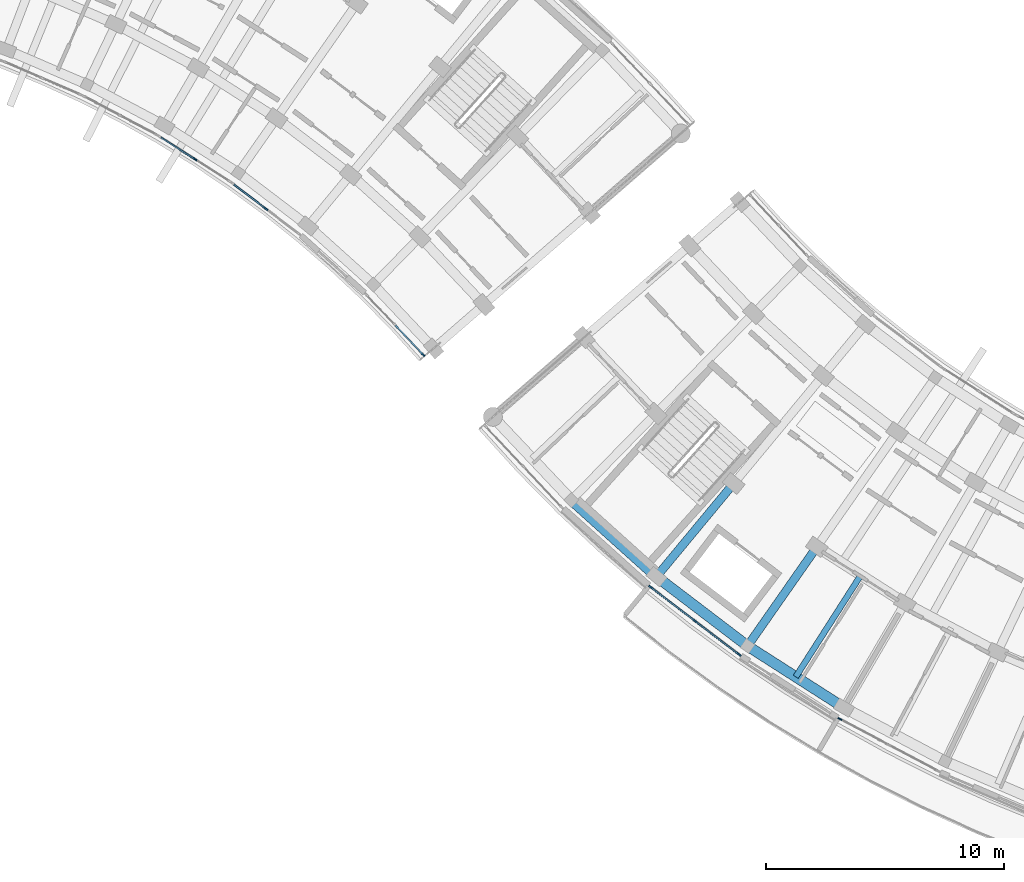
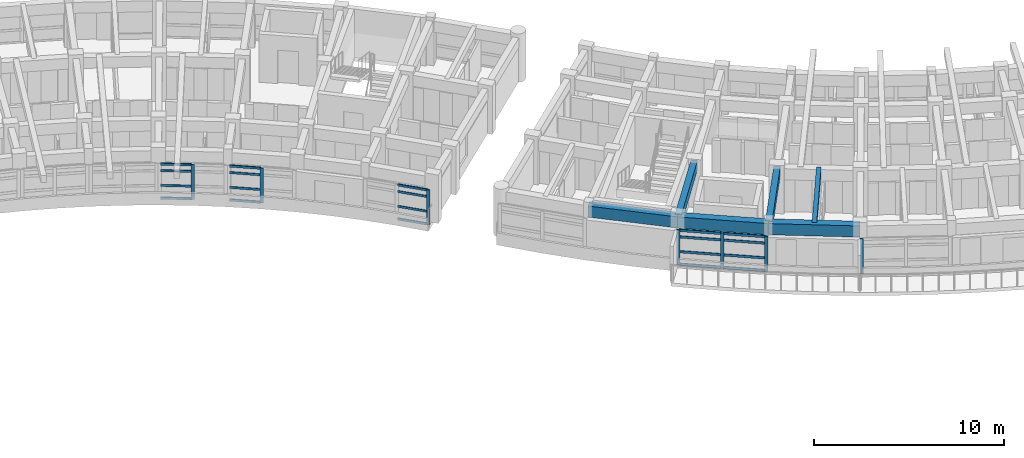
# One storey, part 9 of 55: 27 members, 6 beams, 5 elements without a shape of their own.
"""IFC4 building model written with IfcOpenShell, lengths in metres."""

import ifcopenshell
import ifcopenshell.guid

model = None  # the IFC model being written
_history = None  # IfcOwnerHistory: only IFC2X3 demands one
_inside = {}  # id of a spatial element -> (the spatial element, [elements in it])
_under = {}  # id of a project, library or spatial element -> (it, [spatial elements below it])
_declared = {}  # id of a project -> (the project, [libraries it declares])
_typed = {}  # id of a type object -> (the type object, [elements of that type])
_made_of = {}  # id of a material, layer set ... -> (it, [elements and type objects made of it])


def new_model(schema):
    """Start an empty IFC model of exactly this schema.

    Asked for "IFC4X3", IfcOpenShell would pick the latest addendum, in which some entities
    have other attributes; the version numbers below select the first issue.
    IFC2X3 requires an IfcOwnerHistory on every rooted entity: one is made here for all.
    """
    global model, _history
    if schema == "IFC4X3":
        model = ifcopenshell.file(schema_version=(4, 3, 0, 0))
    else:
        model = ifcopenshell.file(schema=schema)
    _inside.clear()
    _under.clear()
    _declared.clear()
    _typed.clear()
    _made_of.clear()
    _history = None
    if model.schema == "IFC2X3":
        org = make("IfcOrganization", Name="unknown")
        user = make(
            "IfcPersonAndOrganization",
            ThePerson=make("IfcPerson", FamilyName="unknown"),
            TheOrganization=org,
        )
        app = make(
            "IfcApplication",
            ApplicationDeveloper=org,
            Version="unknown",
            ApplicationFullName="unknown",
            ApplicationIdentifier="unknown",
        )
        _history = make(
            "IfcOwnerHistory",
            OwningUser=user,
            OwningApplication=app,
            ChangeAction="ADDED",
            CreationDate=0,
        )
    return model


def make(cls, **values):
    """One entity of the class cls with the attributes given. An attribute that is None is left unset."""
    return model.create_entity(
        cls, **{name: value for name, value in values.items() if value is not None}
    )


def rooted(cls, **values):
    """An entity with a GlobalId (a new one), such as an element, a storey or a relation."""
    return make(cls, GlobalId=ifcopenshell.guid.new(), OwnerHistory=_history, **values)


def si_unit(unit_type, name, prefix=None):
    """IfcSIUnit, for example si_unit("LENGTHUNIT", "METRE", prefix="MILLI")."""
    return make("IfcSIUnit", UnitType=unit_type, Prefix=prefix, Name=name)


def assignment(units):
    """IfcUnitAssignment: the units of a project."""
    return None if units is None else make("IfcUnitAssignment", Units=units)


def point(xyz):
    """IfcCartesianPoint."""
    return None if xyz is None else make("IfcCartesianPoint", Coordinates=xyz)


def direction(xyz):
    """IfcDirection."""
    return None if xyz is None else make("IfcDirection", DirectionRatios=xyz)


def frame(location, z_axis=None, x_axis=None):
    """IfcAxis2Placement3D, a coordinate frame: its origin and axes. An axis left out is left unset."""
    return make(
        "IfcAxis2Placement3D",
        Location=point(location),
        Axis=direction(z_axis),
        RefDirection=direction(x_axis),
    )


def frame_2d(location, x_axis=None):
    """IfcAxis2Placement2D, a coordinate frame in the plane: its origin and x axis."""
    return make(
        "IfcAxis2Placement2D", Location=point(location), RefDirection=direction(x_axis)
    )


def origin():
    """The frame at (0, 0, 0) with its axes left unset."""
    return frame((0.0, 0.0, 0.0))


def origin_2d():
    """The frame at (0, 0) in the plane with its x axis left unset."""
    return frame_2d((0.0, 0.0))


def place(relative_to, where):
    """IfcLocalPlacement: puts the frame where relative to a parent placement (None: the world)."""
    return make(
        "IfcLocalPlacement", PlacementRelTo=relative_to, RelativePlacement=where
    )


def context(
    kind, dimensions, precision=None, world=None, true_north=None, identifier=None
):
    """IfcGeometricRepresentationContext, for example the 3D "Model" context."""
    return make(
        "IfcGeometricRepresentationContext",
        ContextIdentifier=identifier,
        ContextType=kind,
        CoordinateSpaceDimension=dimensions,
        Precision=precision,
        WorldCoordinateSystem=world,
        TrueNorth=true_north,
    )


def subcontext(parent, identifier, kind, view, scale=None):
    """IfcGeometricRepresentationSubContext, for example "Body" below "Model"."""
    return make(
        "IfcGeometricRepresentationSubContext",
        ContextIdentifier=identifier,
        ContextType=kind,
        ParentContext=parent,
        TargetScale=scale,
        TargetView=view,
    )


def project(units=None, contexts=None):
    """IfcProject with its units and contexts."""
    return rooted(
        "IfcProject",
        Name="project",
        RepresentationContexts=contexts,
        UnitsInContext=assignment(units),
    )


def spatial(cls, under=None, at=None, **own):
    """A site, building, storey or space (cls), placed at a placement, below another one or the project."""
    s = rooted(cls, ObjectPlacement=at, **own)
    if under is not None:
        _under.setdefault(under.id(), (under, []))[1].append(s)
    return s


def profile(cls, at=None, kind="AREA", **sizes):
    """A parametric profile (cls). Its sizes go by their IFC names, for example OverallWidth=200.0."""
    return make(cls, ProfileType=kind, Position=at, **sizes)


def rectangle(**sizes):
    """IfcRectangleProfileDef."""
    return profile("IfcRectangleProfileDef", **sizes)


def extrude(swept, where, along, depth):
    """IfcExtrudedAreaSolid: the profile swept, set in the frame where, extruded along a direction by depth."""
    return make(
        "IfcExtrudedAreaSolid",
        SweptArea=swept,
        Position=where,
        ExtrudedDirection=direction(along),
        Depth=depth,
    )


def shape(context_of_items, identifier, shape_type, items):
    """IfcShapeRepresentation: the items that make up one representation, for example the "Body"."""
    return make(
        "IfcShapeRepresentation",
        ContextOfItems=context_of_items,
        RepresentationIdentifier=identifier,
        RepresentationType=shape_type,
        Items=items,
    )


def material(Name=None, Category=None):
    """IfcMaterial."""
    return make("IfcMaterial", Name=Name, Category=Category)


def material_profile(
    of_material, cross_section, Name=None, Category=None, Priority=None
):
    """IfcMaterialProfile: a cross section and its material."""
    return make(
        "IfcMaterialProfile",
        Name=Name,
        Material=of_material,
        Profile=cross_section,
        Priority=Priority,
        Category=Category,
    )


def profile_set(profiles, Name=None, composite=None):
    """IfcMaterialProfileSet."""
    return make(
        "IfcMaterialProfileSet",
        Name=Name,
        MaterialProfiles=profiles,
        CompositeProfile=composite,
    )


def made_of(thing, what):
    """Note that an element or type object is made of a material, layer set ...; save() writes the relation."""
    if what is not None:
        _made_of.setdefault(what.id(), (what, []))[1].append(thing)
    return thing


def type_object(cls, material=None, **own):
    """A type object (cls), such as IfcWallType, which elements share."""
    return made_of(rooted(cls, **own), material)


def element(
    cls,
    number,
    at=None,
    inside=None,
    cuts=None,
    type_object=None,
    material=None,
    context=None,
    identifier="Body",
    shape_type=None,
    held_by="IfcProductDefinitionShape",
    body=None,
    shapes=None,
    **own,
):
    """One element of the class cls, such as IfcWall. Its Tag is "e" and its number.

    at: its placement. inside: the storey or other place that contains it. cuts: it is an
    opening in that element (IfcRelVoidsElement). A single representation is given by context,
    identifier, shape_type and body (its items); several are given by shapes. held_by: the class
    of the entity that holds the representations. save() writes the other relations.
    """
    e = rooted(cls, Tag="e%d" % number, ObjectPlacement=at, **own)
    if body is not None:
        shapes = [shape(context, identifier, shape_type, body)]
    if shapes is not None:
        e.Representation = make(held_by, Representations=shapes)
    if inside is not None:
        _inside.setdefault(inside.id(), (inside, []))[1].append(e)
    if cuts is not None:
        rooted(
            "IfcRelVoidsElement", RelatingBuildingElement=cuts, RelatedOpeningElement=e
        )
    if type_object is not None:
        _typed.setdefault(type_object.id(), (type_object, []))[1].append(e)
    return made_of(e, material)


def aggregate(whole, parts):
    """IfcRelAggregates: a whole, such as a stair, and the parts it consists of."""
    return rooted("IfcRelAggregates", RelatingObject=whole, RelatedObjects=parts)


def save(model, path):
    """Write the relations noted so far, then the file.

    IfcRelAggregates (storeys below a building ...), IfcRelContainedInSpatialStructure (elements
    in a storey), IfcRelDefinesByType, IfcRelAssociatesMaterial and IfcRelDeclares: one each for
    every whole, place, type object, material and project.
    """
    for whole, parts in _under.values():
        aggregate(whole, parts)
    for where, things in _inside.values():
        rooted(
            "IfcRelContainedInSpatialStructure",
            RelatedElements=things,
            RelatingStructure=where,
        )
    for kind, things in _typed.values():
        rooted("IfcRelDefinesByType", RelatedObjects=things, RelatingType=kind)
    for what, things in _made_of.values():
        rooted("IfcRelAssociatesMaterial", RelatedObjects=things, RelatingMaterial=what)
    for by, libraries in _declared.values():
        rooted("IfcRelDeclares", RelatingContext=by, RelatedDefinitions=libraries)
    model.write(path)


model = new_model("IFC4")

# Units and contexts
model_context = context("Model", 3, precision=1e-05, world=origin(), true_north=direction((0.0, 1.0)))
body_context = subcontext(model_context, "Body", "Model", "MODEL_VIEW")
ifc_project = project(units=[si_unit("LENGTHUNIT", "METRE"), si_unit("AREAUNIT", "SQUARE_METRE"), si_unit("VOLUMEUNIT", "CUBIC_METRE"), si_unit("PLANEANGLEUNIT", "RADIAN"), si_unit("MASSUNIT", "GRAM", prefix="KILO")], contexts=[model_context])

# Site, building, storey
site_placement = place(None, origin())
site = spatial("IfcSite", under=ifc_project, at=site_placement, CompositionType="ELEMENT")
building_placement = place(site_placement, origin())
building = spatial("IfcBuilding", under=site, at=building_placement, Name="Zimvara Arc Housing Community", CompositionType="ELEMENT")
storey_placement = place(building_placement, frame((0.0, 0.0, 14.300048828125)))
storey = spatial("IfcBuildingStorey", under=building, at=storey_placement, Name="L04", CompositionType="ELEMENT", Elevation=14.300048828125)

# Beams
ifc_material_1 = material(Name="Concrete C40/50", Category="concrete")
ifc_material_profile_1 = material_profile(ifc_material_1, rectangle(XDim=0.25, YDim=0.449951171875, at=origin_2d()), Name="RC 250x450")
ifc_profile_set_1 = profile_set([ifc_material_profile_1], Name="Concrete C40/50")
beam_type_1 = type_object("IfcBeamType", Name="BM-RC-250x450", PredefinedType="JOIST", material=ifc_profile_set_1)
beam_1_placement = place(storey_placement, frame((97.00244140625, 64.583984375, 2.635009765625), z_axis=(-0.539052331508, -0.842272274206, 0.0), x_axis=(0.842272274206, -0.539052331508, 0.0)))
element("IfcBeam", 1, at=beam_1_placement, inside=storey, type_object=beam_type_1, Name="bm:blkC:L04:joist:b3", PredefinedType="JOIST", context=body_context, shape_type="SweptSolid", body=[
    extrude(rectangle(XDim=0.25, YDim=0.449951171875, at=origin_2d()), origin(), (0.0, 0.0, 1.0), 5.07568359375),
])
ifc_material_2 = material(Name="Concrete C40/50", Category="concrete")
ifc_material_profile_2 = material_profile(ifc_material_2, rectangle(XDim=0.35009765625, YDim=0.60009765625, at=origin_2d()), Name="RC 350x600")
ifc_profile_set_2 = profile_set([ifc_material_profile_2], Name="Concrete C40/50")
beam_type_2 = type_object("IfcBeamType", Name="BM-RC-350x600", PredefinedType="BEAM", material=ifc_profile_set_2)
beam_2_placement = place(storey_placement, frame((91.65771484375, 68.430419921875, 2.56005859375), z_axis=(-0.637960059333, -0.770069453164, 0.0), x_axis=(0.770069453164, -0.637960059333, 0.0)))
element("IfcBeam", 2, at=beam_2_placement, inside=storey, type_object=beam_type_2, Name="bm:blkC:L04:rad:b2:r23", PredefinedType="BEAM", context=body_context, shape_type="SweptSolid", body=[
    extrude(rectangle(XDim=0.35009765625, YDim=0.60009765625, at=origin_2d()), origin(), (0.0, 0.0, 1.0), 5.080322265625),
])
beam_3_placement = place(storey_placement, frame((95.15234375, 65.76806640625, 2.56005859375), z_axis=(-0.573007469479, -0.819550144848, 0.0), x_axis=(0.819550144848, -0.573007469479, 0.0)))
element("IfcBeam", 3, at=beam_3_placement, inside=storey, type_object=beam_type_2, Name="bm:blkC:L04:rad:b3:r23", PredefinedType="BEAM", context=body_context, shape_type="SweptSolid", body=[
    extrude(rectangle(XDim=0.35009765625, YDim=0.60009765625, at=origin_2d()), origin(), (0.0, 0.0, 1.0), 5.080078125),
])
ifc_material_3 = material(Name="Concrete C40/50", Category="concrete")
ifc_material_profile_3 = material_profile(ifc_material_3, rectangle(XDim=0.43994140625, YDim=0.719970703125, at=origin_2d()), Name="RC 440x720")
ifc_profile_set_3 = profile_set([ifc_material_profile_3], Name="Concrete C40/50")
beam_type_3 = type_object("IfcBeamType", Name="BM-RC-440x720", PredefinedType="BEAM", material=ifc_profile_set_3)
for number, where, z_axis, x_axis, name in (
    (4, (84.842529296875, 67.734375, 2.5), (0.743369885629, -0.668880567172, 0.0), (0.668880567172, 0.743369885629, 0.0), "bm:blkC:L04:chord:r3:b1"),
    (5, (88.416748046875, 64.518310546875, 2.5), (0.795480673672, -0.605978958228, 0.0), (0.605978958228, 0.795480673672, 0.0), "bm:blkC:L04:chord:r3:b2"),
    (6, (92.241455078125, 61.604736328125, 2.5), (0.842278777856, -0.539042169383, 0.0), (0.539042169383, 0.842278777856, 0.0), "bm:blkC:L04:chord:r3:b3"),
):
    element("IfcBeam", number, at=place(storey_placement, frame(where, z_axis=z_axis, x_axis=x_axis)), inside=storey, type_object=beam_type_3, Name=name, PredefinedType="BEAM", context=body_context, shape_type="SweptSolid", body=[
        extrude(rectangle(XDim=0.43994140625, YDim=0.719970703125, at=origin_2d()), origin(), (0.0, 0.0, 1.0), 4.80810546875),
    ])

# Curtain wall, member
ifc_material_4 = material(Name="Anodised Aluminium AW-6063", Category="aluminium")
curtain_wall_type_1 = type_object("IfcCurtainWallType", Name="CW-SYS-06", PredefinedType="USERDEFINED", material=ifc_material_4)
curtain_wall_1_placement = place(storey_placement, origin())
curtain_wall_1 = element("IfcCurtainWall", 7, at=curtain_wall_1_placement, inside=storey, type_object=curtain_wall_type_1, Name="cw:blkB:L04:in:b6", ObjectType="CURTAIN WALL", PredefinedType="USERDEFINED")
ifc_material_5 = material(Name="Anodised Aluminium AW-6063", Category="aluminium")
ifc_material_profile_4 = material_profile(ifc_material_5, rectangle(XDim=0.06494140625, YDim=0.179931640625, at=origin_2d()), Name="ALU 65x180")
ifc_profile_set_4 = profile_set([ifc_material_profile_4], Name="Anodised Aluminium AW-6063")
member_type_1 = type_object("IfcMemberType", Name="CWM-65x150", PredefinedType="MULLION", material=ifc_profile_set_4)
member_1_placement = place(storey_placement, frame((69.032958984375, 82.050537109375, 0.0), z_axis=(0.0, 0.0, 1.0), x_axis=(0.539064085203, 0.842264751752, 0.0)))
member_1 = element("IfcMember", 8, at=member_1_placement, type_object=member_type_1, Name="CW06 mullion 2", PredefinedType="MULLION", context=body_context, shape_type="SweptSolid", body=[
    extrude(rectangle(XDim=0.06494140625, YDim=0.179931640625, at=origin_2d()), origin(), (0.0, 0.0, 1.0), 2.25),
])

ifc_material_6 = material(Name="Anodised Aluminium AW-6063", Category="aluminium")
curtain_wall_type_2 = type_object("IfcCurtainWallType", Name="CW-SYS-08", PredefinedType="USERDEFINED", material=ifc_material_6)
curtain_wall_2_placement = place(storey_placement, origin())
curtain_wall_2 = element("IfcCurtainWall", 9, at=curtain_wall_2_placement, inside=storey, type_object=curtain_wall_type_2, Name="cw:blkB:L04:in:b7", ObjectType="CURTAIN WALL", PredefinedType="USERDEFINED")
member_2_placement = place(storey_placement, frame((72.0166015625, 79.96435546875, 0.0), z_axis=(0.0, 0.0, 1.0), x_axis=(0.605988318533, 0.795473543119, 0.0)))
member_2 = element("IfcMember", 10, at=member_2_placement, type_object=member_type_1, Name="CW08 mullion 2", PredefinedType="MULLION", context=body_context, shape_type="SweptSolid", body=[
    extrude(rectangle(XDim=0.06494140625, YDim=0.179931640625, at=origin_2d()), origin(), (0.0, 0.0, 1.0), 2.25),
])

ifc_material_7 = material(Name="Anodised Aluminium AW-6063", Category="aluminium")
curtain_wall_type_3 = type_object("IfcCurtainWallType", Name="CW-SYS-02", PredefinedType="USERDEFINED", material=ifc_material_7)
curtain_wall_3_placement = place(storey_placement, origin())
curtain_wall_3 = element("IfcCurtainWall", 11, at=curtain_wall_3_placement, inside=storey, type_object=curtain_wall_type_3, Name="cw:blkB:L04:in:b9", ObjectType="CURTAIN WALL", PredefinedType="USERDEFINED")
member_3_placement = place(storey_placement, frame((78.611572265625, 73.840576171875, 0.0), z_axis=(0.0, 0.0, 1.0), x_axis=(0.727293280483, 0.686326805658, 0.0)))
member_3 = element("IfcMember", 12, at=member_3_placement, type_object=member_type_1, Name="CW02 mullion 3", PredefinedType="MULLION", context=body_context, shape_type="SweptSolid", body=[
    extrude(rectangle(XDim=0.06494140625, YDim=0.179931640625, at=origin_2d()), origin(), (0.0, 0.0, 1.0), 2.25),
])

curtain_wall_4_placement = place(storey_placement, origin())
curtain_wall_4 = element("IfcCurtainWall", 13, at=curtain_wall_4_placement, inside=storey, type_object=curtain_wall_type_1, Name="cw:blkC:L04:out:b4", ObjectType="CURTAIN WALL", PredefinedType="USERDEFINED")
member_4_placement = place(storey_placement, frame((96.120849609375, 58.537841796875, 0.0), z_axis=(0.0, 0.0, 1.0), x_axis=(0.468546917761, 0.883438614651, 0.0)))
member_4 = element("IfcMember", 14, at=member_4_placement, type_object=member_type_1, Name="CW06 mullion 1", PredefinedType="MULLION", context=body_context, shape_type="SweptSolid", body=[
    extrude(rectangle(XDim=0.06494140625, YDim=0.179931640625, at=origin_2d()), origin(), (0.0, 0.0, 1.0), 2.25),
])
aggregate(curtain_wall_4, [member_4])

# Curtain wall, members
ifc_material_8 = material(Name="Anodised Aluminium AW-6063", Category="aluminium")
curtain_wall_type_4 = type_object("IfcCurtainWallType", Name="CW-SYS-03", PredefinedType="USERDEFINED", material=ifc_material_8)
curtain_wall_5_placement = place(storey_placement, origin())
curtain_wall_5 = element("IfcCurtainWall", 15, at=curtain_wall_5_placement, inside=storey, type_object=curtain_wall_type_4, Name="cw:blkC:L04:out:b2", ObjectType="CURTAIN WALL", PredefinedType="USERDEFINED")
ifc_material_9 = material(Name="Anodised Aluminium AW-6063", Category="aluminium")
ifc_material_profile_5 = material_profile(ifc_material_9, rectangle(XDim=0.06494140625, YDim=0.195068359375, at=origin_2d()), Name="ALU 65x195")
ifc_profile_set_5 = profile_set([ifc_material_profile_5], Name="Anodised Aluminium AW-6063")
member_type_2 = type_object("IfcMemberType", Name="CWM-65x180", PredefinedType="MULLION", material=ifc_profile_set_5)
member_5_placement = place(storey_placement, frame((88.17138671875, 64.077392578125, 0.0), z_axis=(0.0, 0.0, 1.0), x_axis=(0.60598771987, 0.795473999177, 0.0)))
member_5 = element("IfcMember", 16, at=member_5_placement, type_object=member_type_2, Name="CW03 mullion 1", PredefinedType="MULLION", context=body_context, shape_type="SweptSolid", body=[
    extrude(rectangle(XDim=0.06494140625, YDim=0.195068359375, at=origin_2d()), origin(), (0.0, 0.0, 1.0), 2.25),
])
member_6_placement = place(storey_placement, frame((90.0263671875, 62.6640625, 0.0), z_axis=(0.0, 0.0, 1.0), x_axis=(0.60598771987, 0.795473999177, 0.0)))
member_6 = element("IfcMember", 17, at=member_6_placement, type_object=member_type_2, Name="CW03 mullion 2", PredefinedType="MULLION", context=body_context, shape_type="SweptSolid", body=[
    extrude(rectangle(XDim=0.06494140625, YDim=0.195068359375, at=origin_2d()), origin(), (0.0, 0.0, 1.0), 2.25),
])
member_7_placement = place(storey_placement, frame((91.88134765625, 61.2509765625, 0.0), z_axis=(0.0, 0.0, 1.0), x_axis=(0.60598771987, 0.795473999177, 0.0)))
member_7 = element("IfcMember", 18, at=member_7_placement, type_object=member_type_2, Name="CW03 mullion 3", PredefinedType="MULLION", context=body_context, shape_type="SweptSolid", body=[
    extrude(rectangle(XDim=0.06494140625, YDim=0.195068359375, at=origin_2d()), origin(), (0.0, 0.0, 1.0), 2.25),
])

# Member
ifc_material_10 = material(Name="Anodised Aluminium AW-6063", Category="aluminium")
ifc_material_profile_6 = material_profile(ifc_material_10, rectangle(XDim=0.06494140625, YDim=0.139892578125, at=origin_2d()), Name="ALU 65x140")
ifc_profile_set_6 = profile_set([ifc_material_profile_6], Name="Anodised Aluminium AW-6063")
member_type_3 = type_object("IfcMemberType", Name="CWT-65x120", PredefinedType="USERDEFINED", material=ifc_profile_set_6)
member_8_placement = place(storey_placement, frame((67.603759765625, 82.965087890625, 0.032470703125), z_axis=(0.842330007588, -0.538962112135, 0.0), x_axis=(0.538962112135, 0.842330007588, 0.0)))
member_8 = element("IfcMember", 19, at=member_8_placement, type_object=member_type_3, Name="CW06 transom 1.1", ObjectType="TRANSOM", PredefinedType="USERDEFINED", context=body_context, shape_type="SweptSolid", body=[
    extrude(rectangle(XDim=0.06494140625, YDim=0.139892578125, at=origin_2d()), origin(), (0.0, 0.0, 1.0), 1.664306640625),
])

member_9_placement = place(storey_placement, frame((67.603759765625, 82.965087890625, 0.849853515625), z_axis=(0.842330007588, -0.538962112135, 0.0), x_axis=(0.538962112135, 0.842330007588, 0.0)))
member_9 = element("IfcMember", 20, at=member_9_placement, type_object=member_type_3, Name="CW06 transom 1.2", ObjectType="TRANSOM", PredefinedType="USERDEFINED", context=body_context, shape_type="SweptSolid", body=[
    extrude(rectangle(XDim=0.06494140625, YDim=0.139892578125, at=origin_2d()), origin(), (0.0, 0.0, 1.0), 1.664306640625),
])

member_10_placement = place(storey_placement, frame((67.603759765625, 82.965087890625, 1.800048828125), z_axis=(0.842330007588, -0.538962112135, 0.0), x_axis=(0.538962112135, 0.842330007588, 0.0)))
member_10 = element("IfcMember", 21, at=member_10_placement, type_object=member_type_3, Name="CW06 transom 1.3", ObjectType="TRANSOM", PredefinedType="USERDEFINED", context=body_context, shape_type="SweptSolid", body=[
    extrude(rectangle(XDim=0.06494140625, YDim=0.139892578125, at=origin_2d()), origin(), (0.0, 0.0, 1.0), 1.664306640625),
])

member_11_placement = place(storey_placement, frame((67.603759765625, 82.965087890625, 2.217529296875), z_axis=(0.842330007588, -0.538962112135, 0.0), x_axis=(0.538962112135, 0.842330007588, 0.0)))
member_11 = element("IfcMember", 22, at=member_11_placement, type_object=member_type_3, Name="CW06 transom 1.4", ObjectType="TRANSOM", PredefinedType="USERDEFINED", context=body_context, shape_type="SweptSolid", body=[
    extrude(rectangle(XDim=0.06494140625, YDim=0.139892578125, at=origin_2d()), origin(), (0.0, 0.0, 1.0), 1.664306640625),
])

aggregate(curtain_wall_1, [member_1, member_8, member_9, member_10, member_11])

member_12_placement = place(storey_placement, frame((70.6669921875, 80.99267578125, 0.032470703125), z_axis=(0.795435087713, -0.606038795157, 0.0), x_axis=(0.606038795157, 0.795435087713, 0.0)))
member_12 = element("IfcMember", 23, at=member_12_placement, type_object=member_type_3, Name="CW08 transom 1.1", ObjectType="TRANSOM", PredefinedType="USERDEFINED", context=body_context, shape_type="SweptSolid", body=[
    extrude(rectangle(XDim=0.06494140625, YDim=0.139892578125, at=origin_2d()), origin(), (0.0, 0.0, 1.0), 1.6640625),
])

member_13_placement = place(storey_placement, frame((70.6669921875, 80.99267578125, 0.849853515625), z_axis=(0.795435087713, -0.606038795157, 0.0), x_axis=(0.606038795157, 0.795435087713, 0.0)))
member_13 = element("IfcMember", 24, at=member_13_placement, type_object=member_type_3, Name="CW08 transom 1.2", ObjectType="TRANSOM", PredefinedType="USERDEFINED", context=body_context, shape_type="SweptSolid", body=[
    extrude(rectangle(XDim=0.06494140625, YDim=0.139892578125, at=origin_2d()), origin(), (0.0, 0.0, 1.0), 1.6640625),
])

member_14_placement = place(storey_placement, frame((70.6669921875, 80.99267578125, 1.800048828125), z_axis=(0.795435087713, -0.606038795157, 0.0), x_axis=(0.606038795157, 0.795435087713, 0.0)))
member_14 = element("IfcMember", 25, at=member_14_placement, type_object=member_type_3, Name="CW08 transom 1.3", ObjectType="TRANSOM", PredefinedType="USERDEFINED", context=body_context, shape_type="SweptSolid", body=[
    extrude(rectangle(XDim=0.06494140625, YDim=0.139892578125, at=origin_2d()), origin(), (0.0, 0.0, 1.0), 1.6640625),
])

member_15_placement = place(storey_placement, frame((70.6669921875, 80.99267578125, 2.217529296875), z_axis=(0.795435087713, -0.606038795157, 0.0), x_axis=(0.606038795157, 0.795435087713, 0.0)))
member_15 = element("IfcMember", 26, at=member_15_placement, type_object=member_type_3, Name="CW08 transom 1.4", ObjectType="TRANSOM", PredefinedType="USERDEFINED", context=body_context, shape_type="SweptSolid", body=[
    extrude(rectangle(XDim=0.06494140625, YDim=0.139892578125, at=origin_2d()), origin(), (0.0, 0.0, 1.0), 1.6640625),
])

aggregate(curtain_wall_2, [member_2, member_12, member_13, member_14, member_15])

member_16_placement = place(storey_placement, frame((77.447021484375, 75.07470703125, 0.032470703125), z_axis=(0.686347817597, -0.727273451516, 0.0), x_axis=(0.727273451516, 0.686347817597, 0.0)))
member_16 = element("IfcMember", 27, at=member_16_placement, type_object=member_type_3, Name="CW02 transom 2.1", ObjectType="TRANSOM", PredefinedType="USERDEFINED", context=body_context, shape_type="SweptSolid", body=[
    extrude(rectangle(XDim=0.06494140625, YDim=0.139892578125, at=origin_2d()), origin(), (0.0, 0.0, 1.0), 1.664306640625),
])

member_17_placement = place(storey_placement, frame((77.447021484375, 75.07470703125, 0.849853515625), z_axis=(0.686347817597, -0.727273451516, 0.0), x_axis=(0.727273451516, 0.686347817597, 0.0)))
member_17 = element("IfcMember", 28, at=member_17_placement, type_object=member_type_3, Name="CW02 transom 2.2", ObjectType="TRANSOM", PredefinedType="USERDEFINED", context=body_context, shape_type="SweptSolid", body=[
    extrude(rectangle(XDim=0.06494140625, YDim=0.139892578125, at=origin_2d()), origin(), (0.0, 0.0, 1.0), 1.664306640625),
])

member_18_placement = place(storey_placement, frame((77.447021484375, 75.07470703125, 1.800048828125), z_axis=(0.686347817597, -0.727273451516, 0.0), x_axis=(0.727273451516, 0.686347817597, 0.0)))
member_18 = element("IfcMember", 29, at=member_18_placement, type_object=member_type_3, Name="CW02 transom 2.3", ObjectType="TRANSOM", PredefinedType="USERDEFINED", context=body_context, shape_type="SweptSolid", body=[
    extrude(rectangle(XDim=0.06494140625, YDim=0.139892578125, at=origin_2d()), origin(), (0.0, 0.0, 1.0), 1.664306640625),
])

member_19_placement = place(storey_placement, frame((77.447021484375, 75.07470703125, 2.217529296875), z_axis=(0.686347817597, -0.727273451516, 0.0), x_axis=(0.727273451516, 0.686347817597, 0.0)))
member_19 = element("IfcMember", 30, at=member_19_placement, type_object=member_type_3, Name="CW02 transom 2.4", ObjectType="TRANSOM", PredefinedType="USERDEFINED", context=body_context, shape_type="SweptSolid", body=[
    extrude(rectangle(XDim=0.06494140625, YDim=0.139892578125, at=origin_2d()), origin(), (0.0, 0.0, 1.0), 1.664306640625),
])

aggregate(curtain_wall_3, [member_3, member_16, member_17, member_18, member_19])

ifc_material_11 = material(Name="Anodised Aluminium AW-6063", Category="aluminium")
ifc_material_profile_7 = material_profile(ifc_material_11, rectangle(XDim=0.06494140625, YDim=0.155029296875, at=origin_2d()), Name="ALU 65x155")
ifc_profile_set_7 = profile_set([ifc_material_profile_7], Name="Anodised Aluminium AW-6063")
member_type_4 = type_object("IfcMemberType", Name="CWT-65x140", PredefinedType="USERDEFINED", material=ifc_profile_set_7)
member_20_placement = place(storey_placement, frame((88.197265625, 64.0576171875, 0.032470703125), z_axis=(0.795453969776, -0.606014011363, 0.0), x_axis=(0.606014011363, 0.795453969776, 0.0)))
member_20 = element("IfcMember", 31, at=member_20_placement, type_object=member_type_4, Name="CW03 transom 1.1", ObjectType="TRANSOM", PredefinedType="USERDEFINED", context=body_context, shape_type="SweptSolid", body=[
    extrude(rectangle(XDim=0.06494140625, YDim=0.155029296875, at=origin_2d()), origin(), (0.0, 0.0, 1.0), 2.266845703125),
])

member_21_placement = place(storey_placement, frame((88.197265625, 64.0576171875, 0.849853515625), z_axis=(0.795453969776, -0.606014011363, 0.0), x_axis=(0.606014011363, 0.795453969776, 0.0)))
member_21 = element("IfcMember", 32, at=member_21_placement, type_object=member_type_4, Name="CW03 transom 1.2", ObjectType="TRANSOM", PredefinedType="USERDEFINED", context=body_context, shape_type="SweptSolid", body=[
    extrude(rectangle(XDim=0.06494140625, YDim=0.155029296875, at=origin_2d()), origin(), (0.0, 0.0, 1.0), 2.266845703125),
])

member_22_placement = place(storey_placement, frame((88.197265625, 64.0576171875, 1.800048828125), z_axis=(0.795453969776, -0.606014011363, 0.0), x_axis=(0.606014011363, 0.795453969776, 0.0)))
member_22 = element("IfcMember", 33, at=member_22_placement, type_object=member_type_4, Name="CW03 transom 1.3", ObjectType="TRANSOM", PredefinedType="USERDEFINED", context=body_context, shape_type="SweptSolid", body=[
    extrude(rectangle(XDim=0.06494140625, YDim=0.155029296875, at=origin_2d()), origin(), (0.0, 0.0, 1.0), 2.266845703125),
])

member_23_placement = place(storey_placement, frame((88.197265625, 64.0576171875, 2.217529296875), z_axis=(0.795453969776, -0.606014011363, 0.0), x_axis=(0.606014011363, 0.795453969776, 0.0)))
member_23 = element("IfcMember", 34, at=member_23_placement, type_object=member_type_4, Name="CW03 transom 1.4", ObjectType="TRANSOM", PredefinedType="USERDEFINED", context=body_context, shape_type="SweptSolid", body=[
    extrude(rectangle(XDim=0.06494140625, YDim=0.155029296875, at=origin_2d()), origin(), (0.0, 0.0, 1.0), 2.266845703125),
])

member_24_placement = place(storey_placement, frame((90.05224609375, 62.64453125, 0.032470703125), z_axis=(0.795453969776, -0.606014011363, 0.0), x_axis=(0.606014011363, 0.795453969776, 0.0)))
member_24 = element("IfcMember", 35, at=member_24_placement, type_object=member_type_4, Name="CW03 transom 2.1", ObjectType="TRANSOM", PredefinedType="USERDEFINED", context=body_context, shape_type="SweptSolid", body=[
    extrude(rectangle(XDim=0.06494140625, YDim=0.155029296875, at=origin_2d()), origin(), (0.0, 0.0, 1.0), 2.266845703125),
])

member_25_placement = place(storey_placement, frame((90.05224609375, 62.64453125, 0.849853515625), z_axis=(0.795453969776, -0.606014011363, 0.0), x_axis=(0.606014011363, 0.795453969776, 0.0)))
member_25 = element("IfcMember", 36, at=member_25_placement, type_object=member_type_4, Name="CW03 transom 2.2", ObjectType="TRANSOM", PredefinedType="USERDEFINED", context=body_context, shape_type="SweptSolid", body=[
    extrude(rectangle(XDim=0.06494140625, YDim=0.155029296875, at=origin_2d()), origin(), (0.0, 0.0, 1.0), 2.266845703125),
])

member_26_placement = place(storey_placement, frame((90.05224609375, 62.64453125, 1.800048828125), z_axis=(0.795453969776, -0.606014011363, 0.0), x_axis=(0.606014011363, 0.795453969776, 0.0)))
member_26 = element("IfcMember", 37, at=member_26_placement, type_object=member_type_4, Name="CW03 transom 2.3", ObjectType="TRANSOM", PredefinedType="USERDEFINED", context=body_context, shape_type="SweptSolid", body=[
    extrude(rectangle(XDim=0.06494140625, YDim=0.155029296875, at=origin_2d()), origin(), (0.0, 0.0, 1.0), 2.266845703125),
])

member_27_placement = place(storey_placement, frame((90.05224609375, 62.64453125, 2.217529296875), z_axis=(0.795453969776, -0.606014011363, 0.0), x_axis=(0.606014011363, 0.795453969776, 0.0)))
member_27 = element("IfcMember", 38, at=member_27_placement, type_object=member_type_4, Name="CW03 transom 2.4", ObjectType="TRANSOM", PredefinedType="USERDEFINED", context=body_context, shape_type="SweptSolid", body=[
    extrude(rectangle(XDim=0.06494140625, YDim=0.155029296875, at=origin_2d()), origin(), (0.0, 0.0, 1.0), 2.266845703125),
])

aggregate(curtain_wall_5, [member_5, member_6, member_7, member_20, member_21, member_22, member_23, member_24, member_25, member_26, member_27])

save(model, "model.ifc")
